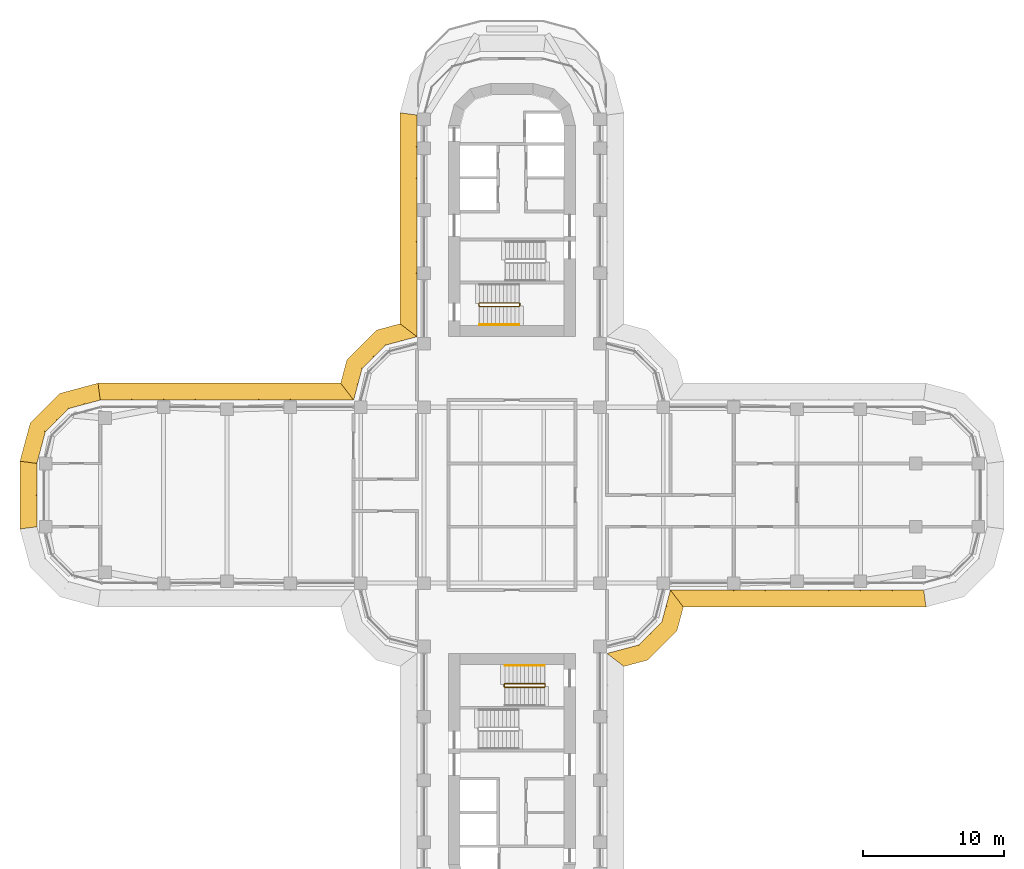
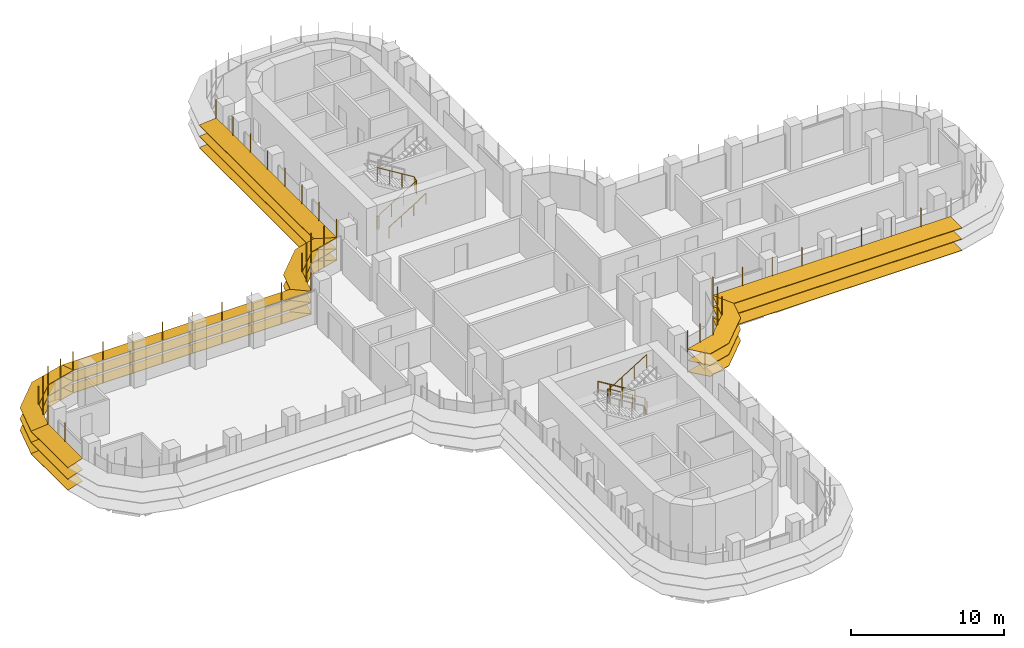
# One storey, part 20 of 22: 7 shading devices, 4 railings.
"""IFC4 building model written with IfcOpenShell, lengths in metres."""

from ifc_helpers import new_model, si_unit, direction, frame, origin, origin_2d, place, context, subcontext, project, spatial, polyline, circle, outline, extrude, faceted_brep, source, transform, mapped, material, type_object, element, save


model = new_model("IFC4")

# Units and contexts
model_context = context("Model", 3, precision=1e-05, world=origin(), true_north=direction((0.0, 1.0)))
body_context = subcontext(model_context, "Body", "Model", "MODEL_VIEW")
ifc_project = project(units=[si_unit("LENGTHUNIT", "METRE"), si_unit("AREAUNIT", "SQUARE_METRE"), si_unit("VOLUMEUNIT", "CUBIC_METRE"), si_unit("PLANEANGLEUNIT", "RADIAN"), si_unit("MASSUNIT", "GRAM", prefix="KILO")], contexts=[model_context])

# Site, building, storey
site_placement = place(None, origin())
site = spatial("IfcSite", under=ifc_project, at=site_placement, CompositionType="ELEMENT")
building_placement = place(site_placement, origin())
building = spatial("IfcBuilding", under=site, at=building_placement, Name="Zarbagh Exchange Tower", CompositionType="ELEMENT")
storey_placement = place(building_placement, frame((0.0, 0.0, 94.199951171875)))
storey = spatial("IfcBuildingStorey", under=building, at=storey_placement, Name="L21", CompositionType="ELEMENT", Elevation=94.199951171875)

# Railings
ifc_material_1 = material(Name="Stainless steel", Category="steel")
railing_type_1 = type_object("IfcRailingType", Name="Stair guard 1100 mm", PredefinedType="GUARDRAIL", material=ifc_material_1)
railing_1_placement = place(storey_placement, frame((-2.35009765625, 13.60009765625, 0.0)))
element("IfcRailing", 1, at=railing_1_placement, inside=storey, type_object=railing_type_1, Name="ST2 stair guard 1", PredefinedType="GUARDRAIL", context=body_context, shape_type="SweptSolid", body=[
    extrude(circle(Radius=0.02392578125, at=origin_2d()), frame((0.0, 0.0, 1.076171875), z_axis=(0.0, -1.0, 0.0), x_axis=(1.0, 0.0, 0.0)), (0.0, 0.0, 1.0), 0.150146484375),
    extrude(circle(Radius=0.02392578125, at=origin_2d()), frame((0.0, -0.150146484375, 1.076171875), z_axis=(0.267953482034, -0.267953482034, 0.925419830635), x_axis=(0.707106781187, 0.707106781187, 0.0)), (0.0, 0.0, 1.0), 0.186767578125),
    extrude(circle(Radius=0.02392578125, at=origin_2d()), frame((0.050048828125, -0.2001953125, 1.2490234375), z_axis=(0.851089632645, 0.0, 0.525020415988), x_axis=(0.0, 1.0, 0.0)), (0.0, 0.0, 1.0), 3.2900390625),
    extrude(circle(Radius=0.02392578125, at=origin_2d()), frame((2.85009765625, -0.2001953125, 2.97607421875), z_axis=(0.707106781187, 0.707106781187, 0.0), x_axis=(-0.707106781187, 0.707106781187, 0.0)), (0.0, 0.0, 1.0), 0.07080078125),
    extrude(circle(Radius=0.02392578125, at=origin_2d()), frame((2.900146484375, -0.150146484375, 2.97607421875), z_axis=(0.0, 1.0, 0.0), x_axis=(-1.0, 0.0, 0.0)), (0.0, 0.0, 1.0), 0.150146484375),
    extrude(circle(Radius=0.02392578125, at=origin_2d()), frame((2.900146484375, 0.0, 2.97607421875), z_axis=(-0.268371968888, 0.267062837333, 0.925556009775), x_axis=(-0.705375805398, -0.708833529934, 0.0)), (0.0, 0.0, 1.0), 0.1865234375),
    extrude(circle(Radius=0.02392578125, at=origin_2d()), frame((2.85009765625, 0.0498046875, 3.14892578125), z_axis=(-0.851089632645, 0.0, 0.525020415988), x_axis=(0.0, -1.0, 0.0)), (0.0, 0.0, 1.0), 3.2900390625),
    extrude(circle(Radius=0.02099609375, at=origin_2d()), origin(), (0.0, 0.0, 1.0), 1.052001953125),
    extrude(circle(Radius=0.02099609375, at=origin_2d()), frame((0.0, -0.150146484375, 0.0)), (0.0, 0.0, 1.0), 1.052001953125),
    extrude(circle(Radius=0.02099609375, at=origin_2d()), frame((0.050048828125, -0.2001953125, 0.1728515625)), (0.0, 0.0, 1.0), 1.052001953125),
    extrude(circle(Radius=0.02099609375, at=origin_2d()), frame((0.9833984375, -0.2001953125, 0.74853515625)), (0.0, 0.0, 1.0), 1.052001953125),
    extrude(circle(Radius=0.02099609375, at=origin_2d()), frame((1.916748046875, -0.2001953125, 1.324462890625)), (0.0, 0.0, 1.0), 1.052001953125),
    extrude(circle(Radius=0.02099609375, at=origin_2d()), frame((2.85009765625, -0.2001953125, 1.900146484375)), (0.0, 0.0, 1.0), 1.052001953125),
    extrude(circle(Radius=0.02099609375, at=origin_2d()), frame((2.900146484375, -0.150146484375, 1.900146484375)), (0.0, 0.0, 1.0), 1.052001953125),
    extrude(circle(Radius=0.02099609375, at=origin_2d()), frame((2.900146484375, 0.0, 1.900146484375)), (0.0, 0.0, 1.0), 1.052001953125),
    extrude(circle(Radius=0.02099609375, at=origin_2d()), frame((2.85009765625, 0.0498046875, 2.07275390625)), (0.0, 0.0, 1.0), 1.052001953125),
    extrude(circle(Radius=0.02099609375, at=origin_2d()), frame((1.916748046875, 0.0498046875, 2.6484375)), (0.0, 0.0, 1.0), 1.052001953125),
    extrude(circle(Radius=0.02099609375, at=origin_2d()), frame((0.9833984375, 0.0498046875, 3.224365234375)), (0.0, 0.0, 1.0), 1.052001953125),
    extrude(circle(Radius=0.02099609375, at=origin_2d()), frame((0.050048828125, 0.0498046875, 3.800048828125)), (0.0, 0.0, 1.0), 1.052001953125),
])
railing_2_placement = place(storey_placement, frame((2.35009765625, -13.60009765625, 0.0)))
element("IfcRailing", 2, at=railing_2_placement, inside=storey, type_object=railing_type_1, Name="ST4 stair guard 1", PredefinedType="GUARDRAIL", context=body_context, shape_type="SweptSolid", body=[
    extrude(circle(Radius=0.02392578125, at=origin_2d()), frame((0.0, 0.0, 1.076171875), z_axis=(0.0, 1.0, 0.0), x_axis=(-1.0, 0.0, 0.0)), (0.0, 0.0, 1.0), 0.150146484375),
    extrude(circle(Radius=0.02392578125, at=origin_2d()), frame((0.0, 0.150146484375, 1.076171875), z_axis=(-0.267953482034, 0.267953482034, 0.925419830635), x_axis=(-0.707106781187, -0.707106781187, 0.0)), (0.0, 0.0, 1.0), 0.186767578125),
    extrude(circle(Radius=0.02392578125, at=origin_2d()), frame((-0.050048828125, 0.2001953125, 1.2490234375), z_axis=(-0.851089632645, 0.0, 0.525020415988), x_axis=(0.0, -1.0, 0.0)), (0.0, 0.0, 1.0), 3.2900390625),
    extrude(circle(Radius=0.02392578125, at=origin_2d()), frame((-2.85009765625, 0.2001953125, 2.97607421875), z_axis=(-0.707106781187, -0.707106781187, 0.0), x_axis=(0.707106781187, -0.707106781187, 0.0)), (0.0, 0.0, 1.0), 0.07080078125),
    extrude(circle(Radius=0.02392578125, at=origin_2d()), frame((-2.900146484375, 0.150146484375, 2.97607421875), z_axis=(0.0, -1.0, 0.0), x_axis=(1.0, 0.0, 0.0)), (0.0, 0.0, 1.0), 0.150146484375),
    extrude(circle(Radius=0.02392578125, at=origin_2d()), frame((-2.900146484375, 0.0, 2.97607421875), z_axis=(0.268371968888, -0.267062837333, 0.925556009775), x_axis=(0.705375805398, 0.708833529934, 0.0)), (0.0, 0.0, 1.0), 0.1865234375),
    extrude(circle(Radius=0.02392578125, at=origin_2d()), frame((-2.85009765625, -0.0498046875, 3.14892578125), z_axis=(0.851089632645, 0.0, 0.525020415988), x_axis=(0.0, 1.0, 0.0)), (0.0, 0.0, 1.0), 3.2900390625),
    extrude(circle(Radius=0.02099609375, at=origin_2d()), origin(), (0.0, 0.0, 1.0), 1.052001953125),
    extrude(circle(Radius=0.02099609375, at=origin_2d()), frame((0.0, 0.150146484375, 0.0)), (0.0, 0.0, 1.0), 1.052001953125),
    extrude(circle(Radius=0.02099609375, at=origin_2d()), frame((-0.050048828125, 0.2001953125, 0.1728515625)), (0.0, 0.0, 1.0), 1.052001953125),
    extrude(circle(Radius=0.02099609375, at=origin_2d()), frame((-0.9833984375, 0.2001953125, 0.74853515625)), (0.0, 0.0, 1.0), 1.052001953125),
    extrude(circle(Radius=0.02099609375, at=origin_2d()), frame((-1.916748046875, 0.2001953125, 1.324462890625)), (0.0, 0.0, 1.0), 1.052001953125),
    extrude(circle(Radius=0.02099609375, at=origin_2d()), frame((-2.85009765625, 0.2001953125, 1.900146484375)), (0.0, 0.0, 1.0), 1.052001953125),
    extrude(circle(Radius=0.02099609375, at=origin_2d()), frame((-2.900146484375, 0.150146484375, 1.900146484375)), (0.0, 0.0, 1.0), 1.052001953125),
    extrude(circle(Radius=0.02099609375, at=origin_2d()), frame((-2.900146484375, 0.0, 1.900146484375)), (0.0, 0.0, 1.0), 1.052001953125),
    extrude(circle(Radius=0.02099609375, at=origin_2d()), frame((-2.85009765625, -0.0498046875, 2.07275390625)), (0.0, 0.0, 1.0), 1.052001953125),
    extrude(circle(Radius=0.02099609375, at=origin_2d()), frame((-1.916748046875, -0.0498046875, 2.6484375)), (0.0, 0.0, 1.0), 1.052001953125),
    extrude(circle(Radius=0.02099609375, at=origin_2d()), frame((-0.9833984375, -0.0498046875, 3.224365234375)), (0.0, 0.0, 1.0), 1.052001953125),
    extrude(circle(Radius=0.02099609375, at=origin_2d()), frame((-0.050048828125, -0.0498046875, 3.800048828125)), (0.0, 0.0, 1.0), 1.052001953125),
])
railing_type_2 = type_object("IfcRailingType", Name="Stair handrail 900 mm", PredefinedType="HANDRAIL", material=ifc_material_1)
railing_3_placement = place(storey_placement, frame((-2.300048828125, 12.10009765625, 0.1728515625)))
element("IfcRailing", 3, at=railing_3_placement, inside=storey, type_object=railing_type_2, Name="ST2 stair handrail 1", PredefinedType="HANDRAIL", context=body_context, shape_type="SweptSolid", body=[
    extrude(circle(Radius=0.02392578125, at=origin_2d()), frame((0.0, 0.0, 0.8759765625), z_axis=(0.851089632645, 0.0, 0.525020415988), x_axis=(0.0, 1.0, 0.0)), (0.0, 0.0, 1.0), 3.2900390625),
    extrude(circle(Radius=0.02099609375, at=origin_2d()), origin(), (0.0, 0.0, 1.0), 0.851806640625),
    extrude(circle(Radius=0.02099609375, at=origin_2d()), frame((0.933349609375, 0.0, 0.57568359375)), (0.0, 0.0, 1.0), 0.851806640625),
    extrude(circle(Radius=0.02099609375, at=origin_2d()), frame((1.86669921875, 0.0, 1.151611328125)), (0.0, 0.0, 1.0), 0.851806640625),
    extrude(circle(Radius=0.02099609375, at=origin_2d()), frame((2.800048828125, 0.0, 1.727294921875)), (0.0, 0.0, 1.0), 0.851806640625),
])
railing_4_placement = place(storey_placement, frame((2.300048828125, -12.10009765625, 0.1728515625)))
element("IfcRailing", 4, at=railing_4_placement, inside=storey, type_object=railing_type_2, Name="ST4 stair handrail 1", PredefinedType="HANDRAIL", context=body_context, shape_type="SweptSolid", body=[
    extrude(circle(Radius=0.02392578125, at=origin_2d()), frame((0.0, 0.0, 0.8759765625), z_axis=(-0.851089632645, 0.0, 0.525020415988), x_axis=(0.0, -1.0, 0.0)), (0.0, 0.0, 1.0), 3.2900390625),
    extrude(circle(Radius=0.02099609375, at=origin_2d()), origin(), (0.0, 0.0, 1.0), 0.851806640625),
    extrude(circle(Radius=0.02099609375, at=origin_2d()), frame((-0.933349609375, 0.0, 0.57568359375)), (0.0, 0.0, 1.0), 0.851806640625),
    extrude(circle(Radius=0.02099609375, at=origin_2d()), frame((-1.86669921875, 0.0, 1.151611328125)), (0.0, 0.0, 1.0), 0.851806640625),
    extrude(circle(Radius=0.02099609375, at=origin_2d()), frame((-2.800048828125, 0.0, 1.727294921875)), (0.0, 0.0, 1.0), 0.851806640625),
])

# Shading devices
ifc_material_2 = material(Name="Anodised aluminium blades and brackets", Category="aluminium")
shading_device_type = type_object("IfcShadingDeviceType", Name="SUNSHADE louvre band, 11.25 degree blades", PredefinedType="JALOUSIE", material=ifc_material_2)
shared_shape_1 = source(origin(), body_context, "Body", "Brep", [
    faceted_brep([(0.0, 0.0, 0.0), (0.0, 0.0, -0.040771484375), (-0.157958984375, -1.199951171875, -0.279541015625), (-0.157958984375, -1.199951171875, -0.23876953125), (2.65087890625, -1.199951171875, -0.23876953125), (2.65087890625, -1.199951171875, -0.279541015625), (2.329345703125, 0.0, -0.040771484375), (2.329345703125, 0.0, 0.0)], [[[0, 1, 2, 3]], [[4, 5, 6, 7]], [[0, 7, 6, 1]], [[1, 6, 5, 2]], [[2, 5, 4, 3]], [[3, 4, 7, 0]]]),
])
shared_shape_2 = source(origin(), body_context, "Body", "Brep", [
    faceted_brep([(0.0, 0.0, 0.0), (0.0, 0.0, -0.040771484375), (-0.321533203125, -1.199951171875, -0.279541015625), (-0.321533203125, -1.199951171875, -0.23876953125), (2.65087890625, -1.199951171875, -0.23876953125), (2.65087890625, -1.199951171875, -0.279541015625), (2.329345703125, 0.0, -0.040771484375), (2.329345703125, 0.0, 0.0)], [[[0, 1, 2, 3]], [[4, 5, 6, 7]], [[0, 7, 6, 1]], [[1, 6, 5, 2]], [[2, 5, 4, 3]], [[3, 4, 7, 0]]]),
])
shared_shape_3 = source(origin(), body_context, "Body", "Brep", [
    faceted_brep([(0.0, 0.0, 0.0), (0.0, 0.0, -0.040771484375), (-0.321533203125, -1.199951171875, -0.279541015625), (-0.321533203125, -1.199951171875, -0.23876953125), (2.4873046875, -1.199951171875, -0.23876953125), (2.4873046875, -1.199951171875, -0.279541015625), (2.329345703125, 0.0, -0.040771484375), (2.329345703125, 0.0, 0.0)], [[[0, 1, 2, 3]], [[4, 5, 6, 7]], [[0, 7, 6, 1]], [[1, 6, 5, 2]], [[2, 5, 4, 3]], [[3, 4, 7, 0]]]),
])
shared_shape_4 = source(origin(), body_context, "Body", "SweptSolid", [
    extrude(outline(polyline([(0.0, -0.012451171875), (0.06005859375, -0.012451171875), (0.06005859375, 0.012451171875), (0.0, 0.012451171875), (0.0, -0.012451171875)])), origin(), (0.0, 0.0, 1.0), 3.350830078125),
])
placement = place(storey_placement, origin())
element("IfcShadingDevice", 5, at=placement, inside=storey, type_object=shading_device_type, Name="SS17 sunshade band", PredefinedType="JALOUSIE", context=body_context, shape_type="MappedRepresentation", body=[
    mapped(shared_shape_1, transform((-29.25, 6.75, 2.300048828125), x_axis=(-0.965924289636, -0.258824779902, 0.0), y_axis=(0.258824779902, -0.965924289636, 0.0), z_axis=(0.0, 0.0, 1.0))),
    mapped(shared_shape_1, transform((-29.25, 6.75, 1.400146484375), x_axis=(-0.965924289636, -0.258824779902, 0.0), y_axis=(0.258824779902, -0.965924289636, 0.0), z_axis=(0.0, 0.0, 1.0))),
    mapped(shared_shape_1, transform((-29.25, 6.75, 0.5), x_axis=(-0.965924289636, -0.258824779902, 0.0), y_axis=(0.258824779902, -0.965924289636, 0.0), z_axis=(0.0, 0.0, 1.0))),
    mapped(shared_shape_2, transform((-31.5, 6.147216796875, 2.300048828125), x_axis=(-0.707106781187, -0.707106781187, 0.0), y_axis=(0.707106781187, -0.707106781187, 0.0), z_axis=(0.0, 0.0, 1.0))),
    mapped(shared_shape_2, transform((-31.5, 6.147216796875, 1.400146484375), x_axis=(-0.707106781187, -0.707106781187, 0.0), y_axis=(0.707106781187, -0.707106781187, 0.0), z_axis=(0.0, 0.0, 1.0))),
    mapped(shared_shape_2, transform((-31.5, 6.147216796875, 0.5), x_axis=(-0.707106781187, -0.707106781187, 0.0), y_axis=(0.707106781187, -0.707106781187, 0.0), z_axis=(0.0, 0.0, 1.0))),
    mapped(shared_shape_3, transform((-33.147216796875, 4.5, 2.300048828125), x_axis=(-0.258824779902, -0.965924289636, 0.0), y_axis=(0.965924289636, -0.258824779902, 0.0), z_axis=(0.0, 0.0, 1.0))),
    mapped(shared_shape_3, transform((-33.147216796875, 4.5, 1.400146484375), x_axis=(-0.258824779902, -0.965924289636, 0.0), y_axis=(0.965924289636, -0.258824779902, 0.0), z_axis=(0.0, 0.0, 1.0))),
    mapped(shared_shape_3, transform((-33.147216796875, 4.5, 0.5), x_axis=(-0.258824779902, -0.965924289636, 0.0), y_axis=(0.965924289636, -0.258824779902, 0.0), z_axis=(0.0, 0.0, 1.0))),
    mapped(shared_shape_4, transform((-29.25, 6.75, 0.42919921875), x_axis=(-0.130529263012, 0.991444457092, 0.0), y_axis=(-0.991444457092, -0.130529263012, 0.0), z_axis=(0.0, 0.0, 1.0))),
    mapped(shared_shape_4, transform((-30.375, 6.448486328125, 0.42919921875), x_axis=(-0.258825058029, 0.96592421511, 0.0), y_axis=(-0.96592421511, -0.258825058029, 0.0), z_axis=(0.0, 0.0, 1.0))),
    mapped(shared_shape_4, transform((-31.5, 6.147216796875, 0.42919921875), x_axis=(-0.50000275701, 0.866023812018, 0.0), y_axis=(-0.866023812018, -0.50000275701, 0.0), z_axis=(0.0, 0.0, 1.0))),
    mapped(shared_shape_4, transform((-32.323486328125, 5.323486328125, 0.42919921875), x_axis=(-0.707106781187, 0.707106781187, 0.0), y_axis=(-0.707106781187, -0.707106781187, 0.0), z_axis=(0.0, 0.0, 1.0))),
    mapped(shared_shape_4, transform((-33.147216796875, 4.5, 0.42919921875), x_axis=(-0.866023812018, 0.50000275701, 0.0), y_axis=(-0.50000275701, -0.866023812018, 0.0), z_axis=(0.0, 0.0, 1.0))),
    mapped(shared_shape_4, transform((-33.448486328125, 3.375, 0.42919921875), x_axis=(-0.96592421511, 0.258825058029, 0.0), y_axis=(-0.258825058029, -0.96592421511, 0.0), z_axis=(0.0, 0.0, 1.0))),
])
shared_shape_5 = source(origin(), body_context, "Body", "Brep", [
    faceted_brep([(0.0, 0.0, 0.0), (0.0, 0.0, -0.040771484375), (0.9208984375, -1.199951171875, -0.279541015625), (0.9208984375, -1.199951171875, -0.23876953125), (2.65087890625, -1.199951171875, -0.23876953125), (2.65087890625, -1.199951171875, -0.279541015625), (2.329345703125, 0.0, -0.040771484375), (2.329345703125, 0.0, 0.0)], [[[0, 1, 2, 3]], [[4, 5, 6, 7]], [[0, 7, 6, 1]], [[1, 6, 5, 2]], [[2, 5, 4, 3]], [[3, 4, 7, 0]]]),
])
shared_shape_6 = source(origin(), body_context, "Body", "Brep", [
    faceted_brep([(0.0, 0.0, 0.0), (0.0, 0.0, -0.040771484375), (-0.321533203125, -1.199951171875, -0.279541015625), (-0.321533203125, -1.199951171875, -0.23876953125), (1.40869140625, -1.199951171875, -0.23876953125), (1.40869140625, -1.199951171875, -0.279541015625), (2.329345703125, 0.0, -0.040771484375), (2.329345703125, 0.0, 0.0)], [[[0, 1, 2, 3]], [[4, 5, 6, 7]], [[0, 7, 6, 1]], [[1, 6, 5, 2]], [[2, 5, 4, 3]], [[3, 4, 7, 0]]]),
])
element("IfcShadingDevice", 6, at=placement, inside=storey, type_object=shading_device_type, Name="SS03 sunshade band", PredefinedType="JALOUSIE", context=body_context, shape_type="MappedRepresentation", body=[
    mapped(shared_shape_5, transform((6.75, -11.25, 2.300048828125), x_axis=(0.965924289636, 0.258824779902, 0.0), y_axis=(-0.258824779902, 0.965924289636, 0.0), z_axis=(0.0, 0.0, 1.0))),
    mapped(shared_shape_5, transform((6.75, -11.25, 1.400146484375), x_axis=(0.965924289636, 0.258824779902, 0.0), y_axis=(-0.258824779902, 0.965924289636, 0.0), z_axis=(0.0, 0.0, 1.0))),
    mapped(shared_shape_5, transform((6.75, -11.25, 0.5), x_axis=(0.965924289636, 0.258824779902, 0.0), y_axis=(-0.258824779902, 0.965924289636, 0.0), z_axis=(0.0, 0.0, 1.0))),
    mapped(shared_shape_2, transform((9.0, -10.647216796875, 2.300048828125), x_axis=(0.707106781187, 0.707106781187, 0.0), y_axis=(-0.707106781187, 0.707106781187, 0.0), z_axis=(0.0, 0.0, 1.0))),
    mapped(shared_shape_2, transform((9.0, -10.647216796875, 1.400146484375), x_axis=(0.707106781187, 0.707106781187, 0.0), y_axis=(-0.707106781187, 0.707106781187, 0.0), z_axis=(0.0, 0.0, 1.0))),
    mapped(shared_shape_2, transform((9.0, -10.647216796875, 0.5), x_axis=(0.707106781187, 0.707106781187, 0.0), y_axis=(-0.707106781187, 0.707106781187, 0.0), z_axis=(0.0, 0.0, 1.0))),
    mapped(shared_shape_6, transform((10.647216796875, -9.0, 2.300048828125), x_axis=(0.258824779902, 0.965924289636, 0.0), y_axis=(-0.965924289636, 0.258824779902, 0.0), z_axis=(0.0, 0.0, 1.0))),
    mapped(shared_shape_6, transform((10.647216796875, -9.0, 1.400146484375), x_axis=(0.258824779902, 0.965924289636, 0.0), y_axis=(-0.965924289636, 0.258824779902, 0.0), z_axis=(0.0, 0.0, 1.0))),
    mapped(shared_shape_6, transform((10.647216796875, -9.0, 0.5), x_axis=(0.258824779902, 0.965924289636, 0.0), y_axis=(-0.965924289636, 0.258824779902, 0.0), z_axis=(0.0, 0.0, 1.0))),
    mapped(shared_shape_4, transform((6.75, -11.25, 0.42919921875), x_axis=(0.793355287, -0.608758892, 0.0), y_axis=(0.608758892, 0.793355287, 0.0), z_axis=(0.0, 0.0, 1.0))),
    mapped(shared_shape_4, transform((7.875, -10.948486328125, 0.42919921875), x_axis=(0.258825058029, -0.96592421511, 0.0), y_axis=(0.96592421511, 0.258825058029, 0.0), z_axis=(0.0, 0.0, 1.0))),
    mapped(shared_shape_4, transform((9.0, -10.647216796875, 0.42919921875), x_axis=(0.50000275701, -0.866023812018, 0.0), y_axis=(0.866023812018, 0.50000275701, 0.0), z_axis=(0.0, 0.0, 1.0))),
    mapped(shared_shape_4, transform((9.823486328125, -9.823486328125, 0.42919921875), x_axis=(0.707106781187, -0.707106781187, 0.0), y_axis=(0.707106781187, 0.707106781187, 0.0), z_axis=(0.0, 0.0, 1.0))),
    mapped(shared_shape_4, transform((10.647216796875, -9.0, 0.42919921875), x_axis=(0.866023812018, -0.50000275701, 0.0), y_axis=(0.50000275701, 0.866023812018, 0.0), z_axis=(0.0, 0.0, 1.0))),
    mapped(shared_shape_4, transform((10.948486328125, -7.875, 0.42919921875), x_axis=(0.96592421511, -0.258825058029, 0.0), y_axis=(0.258825058029, 0.96592421511, 0.0), z_axis=(0.0, 0.0, 1.0))),
])
element("IfcShadingDevice", 7, at=placement, inside=storey, type_object=shading_device_type, Name="SS15 sunshade band", PredefinedType="JALOUSIE", context=body_context, shape_type="MappedRepresentation", body=[
    mapped(shared_shape_5, transform((-6.75, 11.25, 2.300048828125), x_axis=(-0.965924289636, -0.258824779902, 0.0), y_axis=(0.258824779902, -0.965924289636, 0.0), z_axis=(0.0, 0.0, 1.0))),
    mapped(shared_shape_5, transform((-6.75, 11.25, 1.400146484375), x_axis=(-0.965924289636, -0.258824779902, 0.0), y_axis=(0.258824779902, -0.965924289636, 0.0), z_axis=(0.0, 0.0, 1.0))),
    mapped(shared_shape_5, transform((-6.75, 11.25, 0.5), x_axis=(-0.965924289636, -0.258824779902, 0.0), y_axis=(0.258824779902, -0.965924289636, 0.0), z_axis=(0.0, 0.0, 1.0))),
    mapped(shared_shape_2, transform((-9.0, 10.647216796875, 2.300048828125), x_axis=(-0.707106781187, -0.707106781187, 0.0), y_axis=(0.707106781187, -0.707106781187, 0.0), z_axis=(0.0, 0.0, 1.0))),
    mapped(shared_shape_2, transform((-9.0, 10.647216796875, 1.400146484375), x_axis=(-0.707106781187, -0.707106781187, 0.0), y_axis=(0.707106781187, -0.707106781187, 0.0), z_axis=(0.0, 0.0, 1.0))),
    mapped(shared_shape_2, transform((-9.0, 10.647216796875, 0.5), x_axis=(-0.707106781187, -0.707106781187, 0.0), y_axis=(0.707106781187, -0.707106781187, 0.0), z_axis=(0.0, 0.0, 1.0))),
    mapped(shared_shape_6, transform((-10.647216796875, 9.0, 2.300048828125), x_axis=(-0.258824779902, -0.965924289636, 0.0), y_axis=(0.965924289636, -0.258824779902, 0.0), z_axis=(0.0, 0.0, 1.0))),
    mapped(shared_shape_6, transform((-10.647216796875, 9.0, 1.400146484375), x_axis=(-0.258824779902, -0.965924289636, 0.0), y_axis=(0.965924289636, -0.258824779902, 0.0), z_axis=(0.0, 0.0, 1.0))),
    mapped(shared_shape_6, transform((-10.647216796875, 9.0, 0.5), x_axis=(-0.258824779902, -0.965924289636, 0.0), y_axis=(0.965924289636, -0.258824779902, 0.0), z_axis=(0.0, 0.0, 1.0))),
    mapped(shared_shape_4, transform((-6.75, 11.25, 0.42919921875), x_axis=(-0.793355287, 0.608758892, 0.0), y_axis=(-0.608758892, -0.793355287, 0.0), z_axis=(0.0, 0.0, 1.0))),
    mapped(shared_shape_4, transform((-7.875, 10.948486328125, 0.42919921875), x_axis=(-0.258825058029, 0.96592421511, 0.0), y_axis=(-0.96592421511, -0.258825058029, 0.0), z_axis=(0.0, 0.0, 1.0))),
    mapped(shared_shape_4, transform((-9.0, 10.647216796875, 0.42919921875), x_axis=(-0.50000275701, 0.866023812018, 0.0), y_axis=(-0.866023812018, -0.50000275701, 0.0), z_axis=(0.0, 0.0, 1.0))),
    mapped(shared_shape_4, transform((-9.823486328125, 9.823486328125, 0.42919921875), x_axis=(-0.707106781187, 0.707106781187, 0.0), y_axis=(-0.707106781187, -0.707106781187, 0.0), z_axis=(0.0, 0.0, 1.0))),
    mapped(shared_shape_4, transform((-10.647216796875, 9.0, 0.42919921875), x_axis=(-0.866023812018, 0.50000275701, 0.0), y_axis=(-0.50000275701, -0.866023812018, 0.0), z_axis=(0.0, 0.0, 1.0))),
    mapped(shared_shape_4, transform((-10.948486328125, 7.875, 0.42919921875), x_axis=(-0.96592421511, 0.258825058029, 0.0), y_axis=(-0.258825058029, -0.96592421511, 0.0), z_axis=(0.0, 0.0, 1.0))),
])
shared_shape_7 = source(origin(), body_context, "Body", "Brep", [
    faceted_brep([(0.0, 0.0, 0.0), (0.0, 0.0, -0.040771484375), (0.9208984375, -1.199951171875, -0.279541015625), (0.9208984375, -1.199951171875, -0.23876953125), (18.157958984375, -1.199951171875, -0.23876953125), (18.157958984375, -1.199951171875, -0.279541015625), (18.0, 0.0, -0.040771484375), (18.0, 0.0, 0.0)], [[[0, 1, 2, 3]], [[4, 5, 6, 7]], [[0, 7, 6, 1]], [[1, 6, 5, 2]], [[2, 5, 4, 3]], [[3, 4, 7, 0]]]),
])
element("IfcShadingDevice", 8, at=placement, inside=storey, type_object=shading_device_type, Name="SS04 sunshade band", PredefinedType="JALOUSIE", context=body_context, shape_type="MappedRepresentation", body=[
    mapped(shared_shape_7, transform((11.25, -6.75, 2.300048828125), x_axis=(1.0, 0.0, 0.0), y_axis=(0.0, 1.0, 0.0), z_axis=(0.0, 0.0, 1.0))),
    mapped(shared_shape_7, transform((11.25, -6.75, 1.400146484375), x_axis=(1.0, 0.0, 0.0), y_axis=(0.0, 1.0, 0.0), z_axis=(0.0, 0.0, 1.0))),
    mapped(shared_shape_7, transform((11.25, -6.75, 0.5), x_axis=(1.0, 0.0, 0.0), y_axis=(0.0, 1.0, 0.0), z_axis=(0.0, 0.0, 1.0))),
    mapped(shared_shape_4, transform((11.25, -6.75, 0.42919921875), x_axis=(0.608758892, -0.793355287, 0.0), y_axis=(0.793355287, 0.608758892, 0.0), z_axis=(0.0, 0.0, 1.0))),
    mapped(shared_shape_4, transform((13.5, -6.75, 0.42919921875), x_axis=(0.0, -1.0, 0.0), y_axis=(1.0, 0.0, 0.0), z_axis=(0.0, 0.0, 1.0))),
    mapped(shared_shape_4, transform((15.75, -6.75, 0.42919921875), x_axis=(0.0, -1.0, 0.0), y_axis=(1.0, 0.0, 0.0), z_axis=(0.0, 0.0, 1.0))),
    mapped(shared_shape_4, transform((18.0, -6.75, 0.42919921875), x_axis=(0.0, -1.0, 0.0), y_axis=(1.0, 0.0, 0.0), z_axis=(0.0, 0.0, 1.0))),
    mapped(shared_shape_4, transform((20.25, -6.75, 0.42919921875), x_axis=(0.0, -1.0, 0.0), y_axis=(1.0, 0.0, 0.0), z_axis=(0.0, 0.0, 1.0))),
    mapped(shared_shape_4, transform((22.5, -6.75, 0.42919921875), x_axis=(0.0, -1.0, 0.0), y_axis=(1.0, 0.0, 0.0), z_axis=(0.0, 0.0, 1.0))),
    mapped(shared_shape_4, transform((24.75, -6.75, 0.42919921875), x_axis=(0.0, -1.0, 0.0), y_axis=(1.0, 0.0, 0.0), z_axis=(0.0, 0.0, 1.0))),
    mapped(shared_shape_4, transform((27.0, -6.75, 0.42919921875), x_axis=(0.0, -1.0, 0.0), y_axis=(1.0, 0.0, 0.0), z_axis=(0.0, 0.0, 1.0))),
])
shared_shape_8 = source(origin(), body_context, "Body", "Brep", [
    faceted_brep([(0.0, 0.0, 0.0), (0.0, 0.0, -0.040771484375), (-0.157958984375, -1.199951171875, -0.279541015625), (-0.157958984375, -1.199951171875, -0.23876953125), (14.8291015625, -1.199951171875, -0.23876953125), (14.8291015625, -1.199951171875, -0.279541015625), (15.75, 0.0, -0.040771484375), (15.75, 0.0, 0.0)], [[[0, 1, 2, 3]], [[4, 5, 6, 7]], [[0, 7, 6, 1]], [[1, 6, 5, 2]], [[2, 5, 4, 3]], [[3, 4, 7, 0]]]),
])
element("IfcShadingDevice", 9, at=placement, inside=storey, type_object=shading_device_type, Name="SS29 sunshade band", PredefinedType="JALOUSIE", context=body_context, shape_type="MappedRepresentation", body=[
    mapped(shared_shape_8, transform((-6.75, 27.0, 2.300048828125), x_axis=(0.0, -1.0, 0.0), y_axis=(1.0, 0.0, 0.0), z_axis=(0.0, 0.0, 1.0))),
    mapped(shared_shape_8, transform((-6.75, 27.0, 1.400146484375), x_axis=(0.0, -1.0, 0.0), y_axis=(1.0, 0.0, 0.0), z_axis=(0.0, 0.0, 1.0))),
    mapped(shared_shape_8, transform((-6.75, 27.0, 0.5), x_axis=(0.0, -1.0, 0.0), y_axis=(1.0, 0.0, 0.0), z_axis=(0.0, 0.0, 1.0))),
    mapped(shared_shape_4, transform((-6.75, 27.0, 0.42919921875), x_axis=(-0.991444457092, 0.130529263012, 0.0), y_axis=(-0.130529263012, -0.991444457092, 0.0), z_axis=(0.0, 0.0, 1.0))),
    mapped(shared_shape_4, transform((-6.75, 24.75, 0.42919921875), x_axis=(-1.0, 0.0, 0.0), y_axis=(0.0, -1.0, 0.0), z_axis=(0.0, 0.0, 1.0))),
    mapped(shared_shape_4, transform((-6.75, 22.5, 0.42919921875), x_axis=(-1.0, 0.0, 0.0), y_axis=(0.0, -1.0, 0.0), z_axis=(0.0, 0.0, 1.0))),
    mapped(shared_shape_4, transform((-6.75, 20.25, 0.42919921875), x_axis=(-1.0, 0.0, 0.0), y_axis=(0.0, -1.0, 0.0), z_axis=(0.0, 0.0, 1.0))),
    mapped(shared_shape_4, transform((-6.75, 18.0, 0.42919921875), x_axis=(-1.0, 0.0, 0.0), y_axis=(0.0, -1.0, 0.0), z_axis=(0.0, 0.0, 1.0))),
    mapped(shared_shape_4, transform((-6.75, 15.75, 0.42919921875), x_axis=(-1.0, 0.0, 0.0), y_axis=(0.0, -1.0, 0.0), z_axis=(0.0, 0.0, 1.0))),
    mapped(shared_shape_4, transform((-6.75, 13.5, 0.42919921875), x_axis=(-1.0, 0.0, 0.0), y_axis=(0.0, -1.0, 0.0), z_axis=(0.0, 0.0, 1.0))),
])
element("IfcShadingDevice", 10, at=placement, inside=storey, type_object=shading_device_type, Name="SS16 sunshade band", PredefinedType="JALOUSIE", context=body_context, shape_type="MappedRepresentation", body=[
    mapped(shared_shape_7, transform((-11.25, 6.75, 2.300048828125), x_axis=(-1.0, 0.0, 0.0), y_axis=(0.0, -1.0, 0.0), z_axis=(0.0, 0.0, 1.0))),
    mapped(shared_shape_7, transform((-11.25, 6.75, 1.400146484375), x_axis=(-1.0, 0.0, 0.0), y_axis=(0.0, -1.0, 0.0), z_axis=(0.0, 0.0, 1.0))),
    mapped(shared_shape_7, transform((-11.25, 6.75, 0.5), x_axis=(-1.0, 0.0, 0.0), y_axis=(0.0, -1.0, 0.0), z_axis=(0.0, 0.0, 1.0))),
    mapped(shared_shape_4, transform((-11.25, 6.75, 0.42919921875), x_axis=(-0.608758892, 0.793355287, 0.0), y_axis=(-0.793355287, -0.608758892, 0.0), z_axis=(0.0, 0.0, 1.0))),
    mapped(shared_shape_4, transform((-13.5, 6.75, 0.42919921875), x_axis=(0.0, 1.0, 0.0), y_axis=(-1.0, 0.0, 0.0), z_axis=(0.0, 0.0, 1.0))),
    mapped(shared_shape_4, transform((-15.75, 6.75, 0.42919921875), x_axis=(0.0, 1.0, 0.0), y_axis=(-1.0, 0.0, 0.0), z_axis=(0.0, 0.0, 1.0))),
    mapped(shared_shape_4, transform((-18.0, 6.75, 0.42919921875), x_axis=(0.0, 1.0, 0.0), y_axis=(-1.0, 0.0, 0.0), z_axis=(0.0, 0.0, 1.0))),
    mapped(shared_shape_4, transform((-20.25, 6.75, 0.42919921875), x_axis=(0.0, 1.0, 0.0), y_axis=(-1.0, 0.0, 0.0), z_axis=(0.0, 0.0, 1.0))),
    mapped(shared_shape_4, transform((-22.5, 6.75, 0.42919921875), x_axis=(0.0, 1.0, 0.0), y_axis=(-1.0, 0.0, 0.0), z_axis=(0.0, 0.0, 1.0))),
    mapped(shared_shape_4, transform((-24.75, 6.75, 0.42919921875), x_axis=(0.0, 1.0, 0.0), y_axis=(-1.0, 0.0, 0.0), z_axis=(0.0, 0.0, 1.0))),
    mapped(shared_shape_4, transform((-27.0, 6.75, 0.42919921875), x_axis=(0.0, 1.0, 0.0), y_axis=(-1.0, 0.0, 0.0), z_axis=(0.0, 0.0, 1.0))),
])
shared_shape_9 = source(origin(), body_context, "Body", "Brep", [
    faceted_brep([(0.0, 0.0, 0.0), (0.0, 0.0, -0.040771484375), (-0.157958984375, -1.199951171875, -0.279541015625), (-0.157958984375, -1.199951171875, -0.23876953125), (4.657958984375, -1.199951171875, -0.23876953125), (4.657958984375, -1.199951171875, -0.279541015625), (4.5, 0.0, -0.040771484375), (4.5, 0.0, 0.0)], [[[0, 1, 2, 3]], [[4, 5, 6, 7]], [[0, 7, 6, 1]], [[1, 6, 5, 2]], [[2, 5, 4, 3]], [[3, 4, 7, 0]]]),
])
element("IfcShadingDevice", 11, at=placement, inside=storey, type_object=shading_device_type, Name="SS18 sunshade band", PredefinedType="JALOUSIE", context=body_context, shape_type="MappedRepresentation", body=[
    mapped(shared_shape_9, transform((-33.75, 2.25, 2.300048828125), x_axis=(0.0, -1.0, 0.0), y_axis=(1.0, 0.0, 0.0), z_axis=(0.0, 0.0, 1.0))),
    mapped(shared_shape_9, transform((-33.75, 2.25, 1.400146484375), x_axis=(0.0, -1.0, 0.0), y_axis=(1.0, 0.0, 0.0), z_axis=(0.0, 0.0, 1.0))),
    mapped(shared_shape_9, transform((-33.75, 2.25, 0.5), x_axis=(0.0, -1.0, 0.0), y_axis=(1.0, 0.0, 0.0), z_axis=(0.0, 0.0, 1.0))),
    mapped(shared_shape_4, transform((-33.75, 2.25, 0.42919921875), x_axis=(-0.991444457092, 0.130529263012, 0.0), y_axis=(-0.130529263012, -0.991444457092, 0.0), z_axis=(0.0, 0.0, 1.0))),
    mapped(shared_shape_4, transform((-33.75, 0.0, 0.42919921875), x_axis=(-1.0, 0.0, 0.0), y_axis=(0.0, -1.0, 0.0), z_axis=(0.0, 0.0, 1.0))),
])

save(model, "model.ifc")
